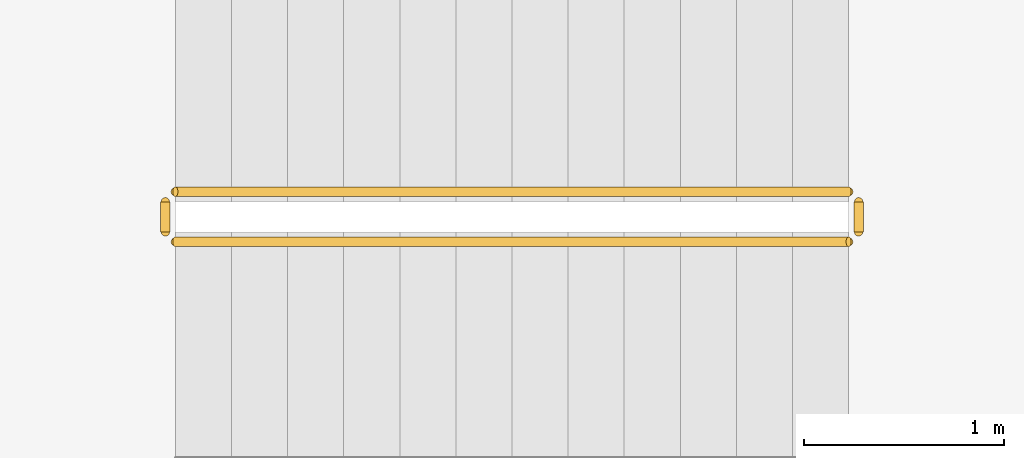
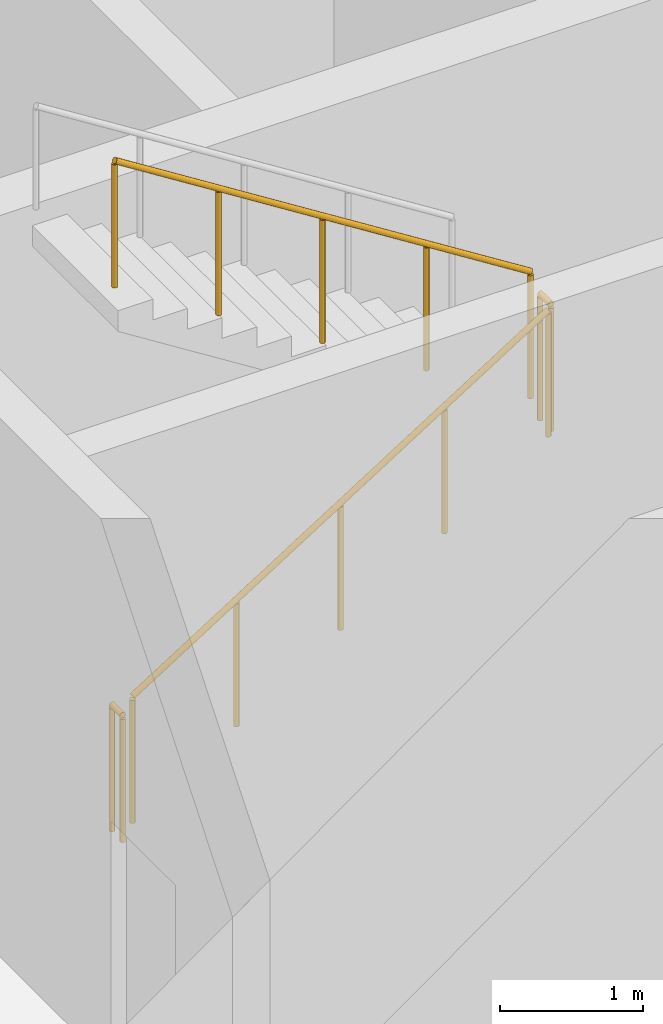
# One storey, part 14 of 17: 4 railings.
"""IFC4 building model written with IfcOpenShell, lengths in metres."""

from ifc_helpers import new_model, si_unit, direction, frame, origin, origin_2d, place, context, subcontext, project, spatial, circle, extrude, material, type_object, element, save


model = new_model("IFC4")

# Units and contexts
model_context = context("Model", 3, precision=1e-05, world=origin(), true_north=direction((0.0, 1.0)))
body_context = subcontext(model_context, "Body", "Model", "MODEL_VIEW")
ifc_project = project(units=[si_unit("LENGTHUNIT", "METRE"), si_unit("AREAUNIT", "SQUARE_METRE"), si_unit("VOLUMEUNIT", "CUBIC_METRE"), si_unit("PLANEANGLEUNIT", "RADIAN"), si_unit("MASSUNIT", "GRAM", prefix="KILO")], contexts=[model_context])

# Site, building, storey
site_placement = place(None, origin())
site = spatial("IfcSite", under=ifc_project, at=site_placement, CompositionType="ELEMENT")
building_placement = place(site_placement, origin())
building = spatial("IfcBuilding", under=site, at=building_placement, Name="Ostrand Prow Hotel Tower", CompositionType="ELEMENT")
storey_placement = place(building_placement, frame((0.0, 0.0, 125.60009765625)))
storey = spatial("IfcBuildingStorey", under=building, at=storey_placement, Name="L30", CompositionType="ELEMENT", Elevation=125.60009765625)

# Railings
ifc_material = material(Name="Painted steel", Category="steel")
railing_type = type_object("IfcRailingType", Name="Stair guard 1100", PredefinedType="GUARDRAIL", material=ifc_material)
railing_1_placement = place(storey_placement, frame((57.199951171875, -11.75, 0.1767578125)))
element("IfcRailing", 1, at=railing_1_placement, inside=storey, type_object=railing_type, Name="L30 ST2C stair guard 1", PredefinedType="GUARDRAIL", context=body_context, shape_type="SweptSolid", body=[
    extrude(circle(Radius=0.02392578125, at=origin_2d()), frame((0.0, 0.0, 1.076171875), z_axis=(0.845389635667, 0.0, 0.534150132366), x_axis=(0.0, 1.0, 0.0)), (0.0, 0.0, 1.0), 3.974609375),
    extrude(circle(Radius=0.02099609375, at=origin_2d()), origin(), (0.0, 0.0, 1.0), 1.052001953125),
    extrude(circle(Radius=0.02099609375, at=origin_2d()), frame((0.840087890625, 0.0, 0.53076171875)), (0.0, 0.0, 1.0), 1.052001953125),
    extrude(circle(Radius=0.02099609375, at=origin_2d()), frame((1.68017578125, 0.0, 1.0615234375)), (0.0, 0.0, 1.0), 1.052001953125),
    extrude(circle(Radius=0.02099609375, at=origin_2d()), frame((2.52001953125, 0.0, 1.59228515625)), (0.0, 0.0, 1.0), 1.052001953125),
    extrude(circle(Radius=0.02099609375, at=origin_2d()), frame((3.360107421875, 0.0, 2.123046875)), (0.0, 0.0, 1.0), 1.052001953125),
])
railing_2_placement = place(storey_placement, frame((60.610107421875, -11.699951171875, 2.2998046875)))
element("IfcRailing", 2, at=railing_2_placement, inside=storey, type_object=railing_type, Name="L30 ST2C stair guard 2", PredefinedType="GUARDRAIL", context=body_context, shape_type="SweptSolid", body=[
    extrude(circle(Radius=0.02392578125, at=origin_2d()), frame((0.0, 0.0, 1.076171875), z_axis=(0.0, 1.0, 0.0), x_axis=(-1.0, 0.0, 0.0)), (0.0, 0.0, 1.0), 0.14990234375),
    extrude(circle(Radius=0.02099609375, at=origin_2d()), origin(), (0.0, 0.0, 1.0), 1.052001953125),
    extrude(circle(Radius=0.02099609375, at=origin_2d()), frame((0.0, 0.14990234375, 0.0)), (0.0, 0.0, 1.0), 1.052001953125),
])
railing_3_placement = place(storey_placement, frame((60.56005859375, -11.5, 2.476806640625)))
element("IfcRailing", 3, at=railing_3_placement, inside=storey, type_object=railing_type, Name="L30 ST2C stair guard 3", PredefinedType="GUARDRAIL", context=body_context, shape_type="SweptSolid", body=[
    extrude(circle(Radius=0.02392578125, at=origin_2d()), frame((0.0, 0.0, 1.076171875), z_axis=(-0.845389635667, 0.0, 0.534150132366), x_axis=(0.0, -1.0, 0.0)), (0.0, 0.0, 1.0), 3.974609375),
    extrude(circle(Radius=0.02099609375, at=origin_2d()), origin(), (0.0, 0.0, 1.0), 1.052001953125),
    extrude(circle(Radius=0.02099609375, at=origin_2d()), frame((-0.840087890625, 0.0, 0.53076171875)), (0.0, 0.0, 1.0), 1.052001953125),
    extrude(circle(Radius=0.02099609375, at=origin_2d()), frame((-1.68017578125, 0.0, 1.0615234375)), (0.0, 0.0, 1.0), 1.052001953125),
    extrude(circle(Radius=0.02099609375, at=origin_2d()), frame((-2.52001953125, 0.0, 1.59228515625)), (0.0, 0.0, 1.0), 1.052001953125),
    extrude(circle(Radius=0.02099609375, at=origin_2d()), frame((-3.360107421875, 0.0, 2.123046875)), (0.0, 0.0, 1.0), 1.052001953125),
])
railing_4_placement = place(storey_placement, frame((57.14990234375, -11.699951171875, 0.0)))
element("IfcRailing", 4, at=railing_4_placement, inside=storey, type_object=railing_type, Name="L30 ST2C stair guard 4", PredefinedType="GUARDRAIL", context=body_context, shape_type="SweptSolid", body=[
    extrude(circle(Radius=0.02392578125, at=origin_2d()), frame((0.0, 0.0, 1.076171875), z_axis=(0.0, 1.0, 0.0), x_axis=(-1.0, 0.0, 0.0)), (0.0, 0.0, 1.0), 0.14990234375),
    extrude(circle(Radius=0.02099609375, at=origin_2d()), origin(), (0.0, 0.0, 1.0), 1.052001953125),
    extrude(circle(Radius=0.02099609375, at=origin_2d()), frame((0.0, 0.14990234375, 0.0)), (0.0, 0.0, 1.0), 1.052001953125),
])

save(model, "model.ifc")
